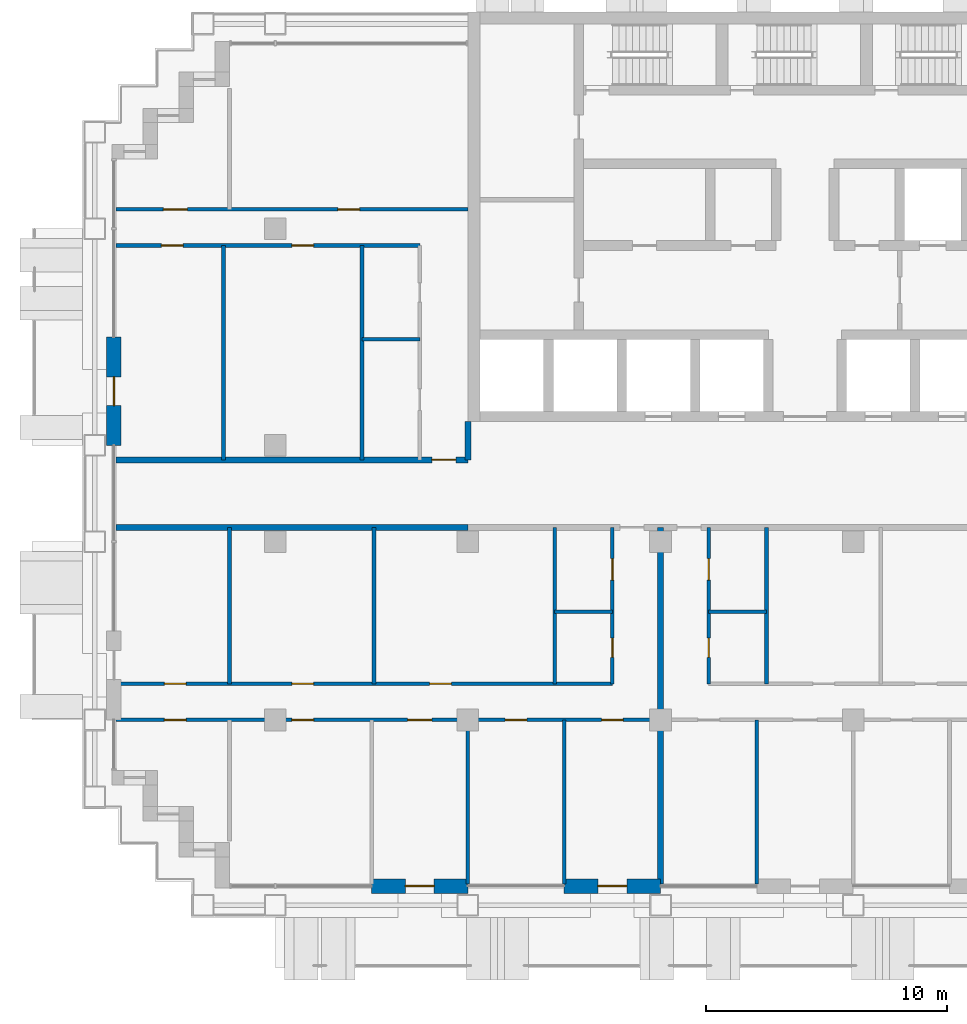
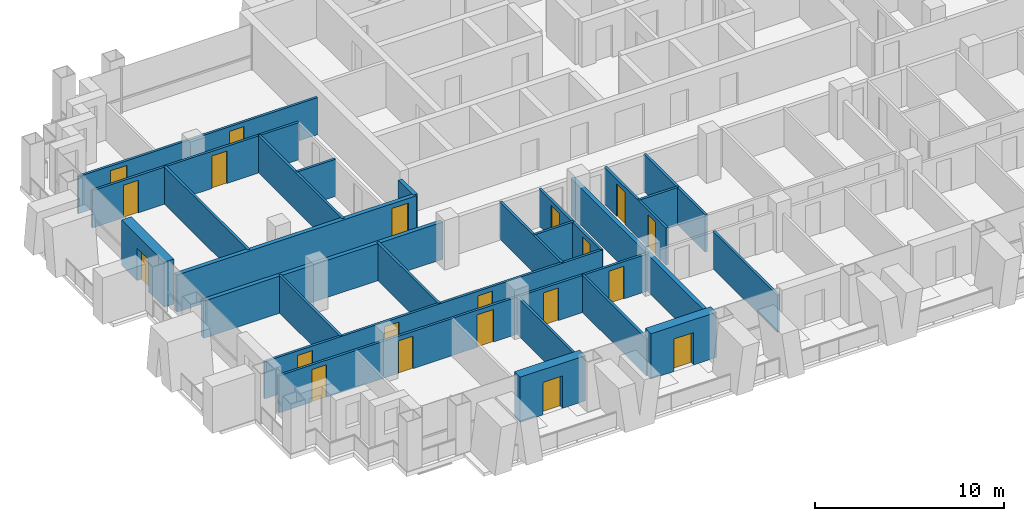
# One storey, part 9 of 18: 25 walls, 20 doors, 20 openings.
"""IFC4 building model written with IfcOpenShell, lengths in metres."""

from ifc_helpers import new_model, si_unit, direction, frame, frame_2d, origin, place, context, subcontext, project, spatial, rectangle, extrude, material, layer, layer_set, type_object, element, fill, save


model = new_model("IFC4")

# Units and contexts
model_context = context("Model", 3, precision=1e-05, world=origin(), true_north=direction((0.0, 1.0)))
body_context = subcontext(model_context, "Body", "Model", "MODEL_VIEW")
ifc_project = project(units=[si_unit("LENGTHUNIT", "METRE"), si_unit("AREAUNIT", "SQUARE_METRE"), si_unit("VOLUMEUNIT", "CUBIC_METRE"), si_unit("PLANEANGLEUNIT", "RADIAN"), si_unit("MASSUNIT", "GRAM", prefix="KILO")], contexts=[model_context])

# Site, building, storey
site_placement = place(None, origin())
site = spatial("IfcSite", under=ifc_project, at=site_placement, CompositionType="ELEMENT")
building_placement = place(site_placement, origin())
building = spatial("IfcBuilding", under=site, at=building_placement, Name="Vidyagriha Tower", CompositionType="ELEMENT")
storey_placement = place(building_placement, frame((0.0, 0.0, 80.699951171875)))
storey = spatial("IfcBuildingStorey", under=building, at=storey_placement, Name="L20", CompositionType="ELEMENT", Elevation=80.699951171875)

# Wall, opening, door
ifc_material_1 = material(Name="Precast concrete C40/50 with brick facing", Category="concrete")
ifc_layer_1 = layer(ifc_material_1, 0.60009765625)
ifc_layer_set_1 = layer_set([ifc_layer_1], Name="Precast concrete C40/50 with brick facing")
wall_type_1 = type_object("IfcWallType", Name="Brick-faced precast wall 600", PredefinedType="STANDARD", material=ifc_layer_set_1)
wall_1_placement = place(storey_placement, frame((-28.699951171875, 6.5, 0.0), z_axis=(0.0, 0.0, 1.0), x_axis=(0.0, -1.0, 0.0)))
wall_1 = element("IfcWall", 1, at=wall_1_placement, inside=storey, type_object=wall_type_1, Name="Brick door bay wall L20 R16.3", PredefinedType="STANDARD", context=body_context, shape_type="SweptSolid", body=[
    extrude(rectangle(XDim=4.5, YDim=0.60009765625, at=frame_2d((2.25, 0.0))), origin(), (0.0, 0.0, 1.0), 2.920166015625),
])
opening_1_placement = place(wall_1_placement, frame((1.64990234375, 0.0, 0.0)))
opening_1 = element("IfcOpeningElement", 2, at=opening_1_placement, cuts=wall_1, Name="Opening D20-74", PredefinedType="OPENING", context=body_context, shape_type="SweptSolid", body=[
    extrude(rectangle(XDim=1.199951171875, YDim=2.10009765625, at=frame_2d((0.60009765625, 1.050048828125))), frame((0.0, 0.31005859375, 0.0), z_axis=(0.0, -1.0, 0.0), x_axis=(1.0, 0.0, 0.0)), (0.0, 0.0, 1.0), 0.6201171875),
])
ifc_material_2 = material(Name="Aluminium framed glazed sliding door", Category="aluminium")
door_type_1 = type_object("IfcDoorType", Name="Balcony sliding door 1200x2100", OperationType="NOTDEFINED", PredefinedType="DOOR", material=ifc_material_2)
door_1_placement = place(opening_1_placement, origin())
door_1 = element("IfcDoor", 3, at=door_1_placement, inside=storey, type_object=door_type_1, Name="Door D20-74", OperationType="SLIDING_TO_LEFT", OverallHeight=2.10009765625, OverallWidth=1.199951171875, PredefinedType="DOOR", context=body_context, shape_type="SweptSolid", body=[
    extrude(rectangle(XDim=1.199951171875, YDim=2.10009765625, at=frame_2d((0.60009765625, 1.050048828125))), frame((0.0, 0.02490234375, 0.0), z_axis=(0.0, -1.0, 0.0), x_axis=(1.0, 0.0, 0.0)), (0.0, 0.0, 1.0), 0.050048828125),
])
fill(opening_1, door_1)

wall_2_placement = place(storey_placement, frame((-18.0, -16.300048828125, 0.0)))
wall_2 = element("IfcWall", 4, at=wall_2_placement, inside=storey, type_object=wall_type_1, Name="Brick door bay wall L20 R23.3", PredefinedType="STANDARD", context=body_context, shape_type="SweptSolid", body=[
    extrude(rectangle(XDim=4.0, YDim=0.60009765625, at=frame_2d((2.0, 0.0))), origin(), (0.0, 0.0, 1.0), 2.920166015625),
])
opening_2_placement = place(wall_2_placement, frame((1.39990234375, 0.0, 0.0)))
opening_2 = element("IfcOpeningElement", 5, at=opening_2_placement, cuts=wall_2, Name="Opening D20-76", PredefinedType="OPENING", context=body_context, shape_type="SweptSolid", body=[
    extrude(rectangle(XDim=1.199951171875, YDim=2.10009765625, at=frame_2d((0.60009765625, 1.050048828125))), frame((0.0, 0.31005859375, 0.0), z_axis=(0.0, -1.0, 0.0), x_axis=(1.0, 0.0, 0.0)), (0.0, 0.0, 1.0), 0.6201171875),
])
door_2_placement = place(opening_2_placement, origin())
door_2 = element("IfcDoor", 6, at=door_2_placement, inside=storey, type_object=door_type_1, Name="Door D20-76", OperationType="SLIDING_TO_LEFT", OverallHeight=2.10009765625, OverallWidth=1.199951171875, PredefinedType="DOOR", context=body_context, shape_type="SweptSolid", body=[
    extrude(rectangle(XDim=1.199951171875, YDim=2.10009765625, at=frame_2d((0.60009765625, 1.050048828125))), frame((0.0, 0.02490234375, 0.0), z_axis=(0.0, -1.0, 0.0), x_axis=(1.0, 0.0, 0.0)), (0.0, 0.0, 1.0), 0.050048828125),
])
fill(opening_2, door_2)

wall_3_placement = place(storey_placement, frame((-10.0, -16.300048828125, 0.0)))
wall_3 = element("IfcWall", 7, at=wall_3_placement, inside=storey, type_object=wall_type_1, Name="Brick door bay wall L20 R23.5", PredefinedType="STANDARD", context=body_context, shape_type="SweptSolid", body=[
    extrude(rectangle(XDim=4.0, YDim=0.60009765625, at=frame_2d((2.0, 0.0))), origin(), (0.0, 0.0, 1.0), 2.920166015625),
])
opening_3_placement = place(wall_3_placement, frame((1.39990234375, 0.0, 0.0)))
opening_3 = element("IfcOpeningElement", 8, at=opening_3_placement, cuts=wall_3, Name="Opening D20-77", PredefinedType="OPENING", context=body_context, shape_type="SweptSolid", body=[
    extrude(rectangle(XDim=1.199951171875, YDim=2.10009765625, at=frame_2d((0.60009765625, 1.050048828125))), frame((0.0, 0.31005859375, 0.0), z_axis=(0.0, -1.0, 0.0), x_axis=(1.0, 0.0, 0.0)), (0.0, 0.0, 1.0), 0.6201171875),
])
door_3_placement = place(opening_3_placement, origin())
door_3 = element("IfcDoor", 9, at=door_3_placement, inside=storey, type_object=door_type_1, Name="Door D20-77", OperationType="SLIDING_TO_LEFT", OverallHeight=2.10009765625, OverallWidth=1.199951171875, PredefinedType="DOOR", context=body_context, shape_type="SweptSolid", body=[
    extrude(rectangle(XDim=1.199951171875, YDim=2.10009765625, at=frame_2d((0.60009765625, 1.050048828125))), frame((0.0, 0.02490234375, 0.0), z_axis=(0.0, -1.0, 0.0), x_axis=(1.0, 0.0, 0.0)), (0.0, 0.0, 1.0), 0.050048828125),
])
fill(opening_3, door_3)

# Wall
ifc_material_3 = material(Name="Fired clay brick masonry", Category="masonry")
ifc_layer_2 = layer(ifc_material_3, 0.25)
ifc_layer_set_2 = layer_set([ifc_layer_2], Name="Fired clay brick masonry")
wall_type_2 = type_object("IfcWallType", Name="Fired clay brick corridor wall 250", PredefinedType="PARTITIONING", material=ifc_layer_set_2)
wall_4_placement = place(storey_placement, frame((-14.0, -1.39990234375, 0.0), z_axis=(0.0, 0.0, 1.0), x_axis=(-1.0, 0.0, 0.0)))
element("IfcWall", 10, at=wall_4_placement, inside=storey, type_object=wall_type_2, Name="Wall all-L20-w080", PredefinedType="PARTITIONING", context=body_context, shape_type="SweptSolid", body=[
    extrude(rectangle(XDim=14.6201171875, YDim=0.25, at=frame_2d((7.31005859375, 0.0))), origin(), (0.0, 0.0, 1.0), 2.400146484375),
])

# Wall, opening, door
wall_5_placement = place(storey_placement, frame((-28.6201171875, 1.39990234375, 0.0)))
wall_5 = element("IfcWall", 11, at=wall_5_placement, inside=storey, type_object=wall_type_2, Name="Wall all-L20-w097", PredefinedType="PARTITIONING", context=body_context, shape_type="SweptSolid", body=[
    extrude(rectangle(XDim=14.6201171875, YDim=0.25, at=frame_2d((7.31005859375, 0.0))), origin(), (0.0, 0.0, 1.0), 2.400146484375),
])
opening_4_placement = place(wall_5_placement, frame((13.1201171875, 0.0, 0.0)))
opening_4 = element("IfcOpeningElement", 12, at=opening_4_placement, cuts=wall_5, Name="Opening D20-58", PredefinedType="OPENING", context=body_context, shape_type="SweptSolid", body=[
    extrude(rectangle(XDim=1.0, YDim=2.10009765625, at=frame_2d((0.5, 1.050048828125))), frame((0.0, 0.135009765625, 0.0), z_axis=(0.0, -1.0, 0.0), x_axis=(1.0, 0.0, 0.0)), (0.0, 0.0, 1.0), 0.27001953125),
])
ifc_material_4 = material(Name="Fire-rated timber door leaf EI 60", Category="wood")
door_type_2 = type_object("IfcDoorType", Name="Flat entrance fire door 1000x2100", OperationType="NOTDEFINED", PredefinedType="DOOR", material=ifc_material_4)
door_4_placement = place(opening_4_placement, origin())
door_4 = element("IfcDoor", 13, at=door_4_placement, inside=storey, type_object=door_type_2, Name="Door D20-58", OperationType="SINGLE_SWING_RIGHT", OverallHeight=2.10009765625, OverallWidth=1.0, PredefinedType="DOOR", context=body_context, shape_type="SweptSolid", body=[
    extrude(rectangle(XDim=1.0, YDim=2.10009765625, at=frame_2d((0.5, 1.050048828125))), frame((0.0, 0.02490234375, 0.0), z_axis=(0.0, -1.0, 0.0), x_axis=(1.0, 0.0, 0.0)), (0.0, 0.0, 1.0), 0.050048828125),
])
fill(opening_4, door_4)

# Walls
wall_6_placement = place(storey_placement, frame((-14.0, 3.0, 0.0), z_axis=(0.0, 0.0, 1.0), x_axis=(0.0, -1.0, 0.0)))
element("IfcWall", 14, at=wall_6_placement, inside=storey, type_object=wall_type_2, Name="Wall all-L20-w132", PredefinedType="PARTITIONING", context=body_context, shape_type="SweptSolid", body=[
    extrude(rectangle(XDim=1.60009765625, YDim=0.25, at=frame_2d((0.800048828125, 0.0))), origin(), (0.0, 0.0, 1.0), 2.400146484375),
])
ifc_material_5 = material(Name="Fired clay brick masonry", Category="masonry")
ifc_layer_3 = layer(ifc_material_5, 0.25)
ifc_layer_set_3 = layer_set([ifc_layer_3], Name="Fired clay brick masonry")
wall_type_3 = type_object("IfcWallType", Name="Fired clay brick demising wall 250", PredefinedType="PARTITIONING", material=ifc_layer_set_3)
wall_7_placement = place(storey_placement, frame((-6.0, -1.39990234375, 0.0), z_axis=(0.0, 0.0, 1.0), x_axis=(0.0, -1.0, 0.0)))
element("IfcWall", 15, at=wall_7_placement, inside=storey, type_object=wall_type_3, Name="Wall all-L20-w043", PredefinedType="PARTITIONING", context=body_context, shape_type="SweptSolid", body=[
    extrude(rectangle(XDim=14.81005859375, YDim=0.25, at=frame_2d((7.405029296875, 0.0))), origin(), (0.0, 0.0, 1.0), 2.400146484375),
])
ifc_material_6 = material(Name="Gypsum board partition")
ifc_layer_4 = layer(ifc_material_6, 0.14990234375)
ifc_layer_set_4 = layer_set([ifc_layer_4], Name="Gypsum board partition")
wall_type_4 = type_object("IfcWallType", Name="Gypsum board partition 150", PredefinedType="PARTITIONING", material=ifc_layer_set_4)
wall_8_placement = place(storey_placement, frame((-8.0, -4.89990234375, 0.0), z_axis=(0.0, 0.0, 1.0), x_axis=(-1.0, 0.0, 0.0)))
element("IfcWall", 16, at=wall_8_placement, inside=storey, type_object=wall_type_4, Name="Wall all-L20-w004", PredefinedType="PARTITIONING", context=body_context, shape_type="SweptSolid", body=[
    extrude(rectangle(XDim=2.39990234375, YDim=0.14990234375, at=frame_2d((1.199951171875, 0.0))), origin(), (0.0, 0.0, 1.0), 2.400146484375),
])
for number, where, z_axis, x_axis, name in (
    (17, (-10.39990234375, -7.89990234375, 0.0), (0.0, 0.0, 1.0), (0.0, 1.0, 0.0), "Wall all-L20-w005"),
    (18, (-17.89990234375, -7.89990234375, 0.0), (0.0, 0.0, 1.0), (0.0, 1.0, 0.0), "Wall all-L20-w006"),
    (19, (-23.89990234375, -7.89990234375, 0.0), (0.0, 0.0, 1.0), (0.0, 1.0, 0.0), "Wall all-L20-w007"),
):
    element("IfcWall", number, at=place(storey_placement, frame(where, z_axis=z_axis, x_axis=x_axis)), inside=storey, type_object=wall_type_4, Name=name, PredefinedType="PARTITIONING", context=body_context, shape_type="SweptSolid", body=[
        extrude(rectangle(XDim=6.5, YDim=0.14990234375, at=frame_2d((3.25, 0.0))), origin(), (0.0, 0.0, 1.0), 2.400146484375),
    ])

# Wall, openings, doors
wall_9_placement = place(storey_placement, frame((-28.610107421875, -7.89990234375, 0.0)))
wall_9 = element("IfcWall", 20, at=wall_9_placement, inside=storey, type_object=wall_type_4, Name="Wall all-L20-w008", PredefinedType="PARTITIONING", context=body_context, shape_type="SweptSolid", body=[
    extrude(rectangle(XDim=20.610107421875, YDim=0.14990234375, at=frame_2d((10.30517578125, 0.0))), origin(), (0.0, 0.0, 1.0), 2.400146484375),
])
opening_5_placement = place(wall_9_placement, frame((13.02099609375, 0.0, 0.0)))
opening_5 = element("IfcOpeningElement", 21, at=opening_5_placement, cuts=wall_9, Name="Opening D20-16", PredefinedType="OPENING", context=body_context, shape_type="SweptSolid", body=[
    extrude(rectangle(XDim=0.89990234375, YDim=2.10009765625, at=frame_2d((0.449951171875, 1.050048828125))), frame((0.0, 0.0849609375, 0.0), z_axis=(0.0, -1.0, 0.0), x_axis=(1.0, 0.0, 0.0)), (0.0, 0.0, 1.0), 0.169921875),
])
opening_6_placement = place(wall_9_placement, frame((7.299072265625, 0.0, 0.0)))
opening_6 = element("IfcOpeningElement", 22, at=opening_6_placement, cuts=wall_9, Name="Opening D20-17", PredefinedType="OPENING", context=body_context, shape_type="SweptSolid", body=[
    extrude(rectangle(XDim=0.89990234375, YDim=2.10009765625, at=frame_2d((0.449951171875, 1.050048828125))), frame((0.0, 0.0849609375, 0.0), z_axis=(0.0, -1.0, 0.0), x_axis=(1.0, 0.0, 0.0)), (0.0, 0.0, 1.0), 0.169921875),
])
opening_7_placement = place(wall_9_placement, frame((2.010009765625, 0.0, 0.0)))
opening_7 = element("IfcOpeningElement", 23, at=opening_7_placement, cuts=wall_9, Name="Opening D20-18", PredefinedType="OPENING", context=body_context, shape_type="SweptSolid", body=[
    extrude(rectangle(XDim=0.89990234375, YDim=2.10009765625, at=frame_2d((0.449951171875, 1.050048828125))), frame((0.0, 0.0849609375, 0.0), z_axis=(0.0, -1.0, 0.0), x_axis=(1.0, 0.0, 0.0)), (0.0, 0.0, 1.0), 0.169921875),
])
ifc_material_7 = material(Name="Timber door leaf", Category="wood")
door_type_3 = type_object("IfcDoorType", Name="Room door 900x2100", OperationType="NOTDEFINED", PredefinedType="DOOR", material=ifc_material_7)
door_5_placement = place(opening_5_placement, origin())
door_5 = element("IfcDoor", 24, at=door_5_placement, inside=storey, type_object=door_type_3, Name="Door D20-16", OperationType="SINGLE_SWING_LEFT", OverallHeight=2.10009765625, OverallWidth=0.89990234375, PredefinedType="DOOR", context=body_context, shape_type="SweptSolid", body=[
    extrude(rectangle(XDim=0.89990234375, YDim=2.10009765625, at=frame_2d((0.449951171875, 1.050048828125))), frame((0.0, 0.02490234375, 0.0), z_axis=(0.0, -1.0, 0.0), x_axis=(1.0, 0.0, 0.0)), (0.0, 0.0, 1.0), 0.050048828125),
])
fill(opening_5, door_5)
door_6_placement = place(opening_6_placement, origin())
door_6 = element("IfcDoor", 25, at=door_6_placement, inside=storey, type_object=door_type_3, Name="Door D20-17", OperationType="SINGLE_SWING_RIGHT", OverallHeight=2.10009765625, OverallWidth=0.89990234375, PredefinedType="DOOR", context=body_context, shape_type="SweptSolid", body=[
    extrude(rectangle(XDim=0.89990234375, YDim=2.10009765625, at=frame_2d((0.449951171875, 1.050048828125))), frame((0.0, 0.02490234375, 0.0), z_axis=(0.0, -1.0, 0.0), x_axis=(1.0, 0.0, 0.0)), (0.0, 0.0, 1.0), 0.050048828125),
])
fill(opening_6, door_6)
door_7_placement = place(opening_7_placement, origin())
door_7 = element("IfcDoor", 26, at=door_7_placement, inside=storey, type_object=door_type_3, Name="Door D20-18", OperationType="SINGLE_SWING_RIGHT", OverallHeight=2.10009765625, OverallWidth=0.89990234375, PredefinedType="DOOR", context=body_context, shape_type="SweptSolid", body=[
    extrude(rectangle(XDim=0.89990234375, YDim=2.10009765625, at=frame_2d((0.449951171875, 1.050048828125))), frame((0.0, 0.02490234375, 0.0), z_axis=(0.0, -1.0, 0.0), x_axis=(1.0, 0.0, 0.0)), (0.0, 0.0, 1.0), 0.050048828125),
])
fill(opening_7, door_7)

wall_10_placement = place(storey_placement, frame((-6.0, -9.39990234375, 0.0), z_axis=(0.0, 0.0, 1.0), x_axis=(-1.0, 0.0, 0.0)))
wall_10 = element("IfcWall", 27, at=wall_10_placement, inside=storey, type_object=wall_type_4, Name="Wall all-L20-w012", PredefinedType="PARTITIONING", context=body_context, shape_type="SweptSolid", body=[
    extrude(rectangle(XDim=22.610107421875, YDim=0.14990234375, at=frame_2d((11.30517578125, 0.0))), origin(), (0.0, 0.0, 1.0), 2.400146484375),
])
opening_8_placement = place(wall_10_placement, frame((19.699951171875, 0.0, 0.0)))
opening_8 = element("IfcOpeningElement", 28, at=opening_8_placement, cuts=wall_10, Name="Opening D20-19", PredefinedType="OPENING", context=body_context, shape_type="SweptSolid", body=[
    extrude(rectangle(XDim=0.89990234375, YDim=2.10009765625, at=frame_2d((0.449951171875, 1.050048828125))), frame((0.0, 0.0849609375, 0.0), z_axis=(0.0, -1.0, 0.0), x_axis=(1.0, 0.0, 0.0)), (0.0, 0.0, 1.0), 0.169921875),
])
opening_9_placement = place(wall_10_placement, frame((14.410888671875, 0.0, 0.0)))
opening_9 = element("IfcOpeningElement", 29, at=opening_9_placement, cuts=wall_10, Name="Opening D20-20", PredefinedType="OPENING", context=body_context, shape_type="SweptSolid", body=[
    extrude(rectangle(XDim=0.89990234375, YDim=2.10009765625, at=frame_2d((0.449951171875, 1.050048828125))), frame((0.0, 0.0849609375, 0.0), z_axis=(0.0, -1.0, 0.0), x_axis=(1.0, 0.0, 0.0)), (0.0, 0.0, 1.0), 0.169921875),
])
opening_10_placement = place(wall_10_placement, frame((9.5, 0.0, 0.0)))
opening_10 = element("IfcOpeningElement", 30, at=opening_10_placement, cuts=wall_10, Name="Opening D20-21", PredefinedType="OPENING", context=body_context, shape_type="SweptSolid", body=[
    extrude(rectangle(XDim=1.0, YDim=2.10009765625, at=frame_2d((0.5, 1.050048828125))), frame((0.0, 0.0849609375, 0.0), z_axis=(0.0, -1.0, 0.0), x_axis=(1.0, 0.0, 0.0)), (0.0, 0.0, 1.0), 0.169921875),
])
opening_11_placement = place(wall_10_placement, frame((5.550048828125, 0.0, 0.0)))
opening_11 = element("IfcOpeningElement", 31, at=opening_11_placement, cuts=wall_10, Name="Opening D20-22", PredefinedType="OPENING", context=body_context, shape_type="SweptSolid", body=[
    extrude(rectangle(XDim=0.89990234375, YDim=2.10009765625, at=frame_2d((0.449951171875, 1.050048828125))), frame((0.0, 0.0849609375, 0.0), z_axis=(0.0, -1.0, 0.0), x_axis=(1.0, 0.0, 0.0)), (0.0, 0.0, 1.0), 0.169921875),
])
opening_12_placement = place(wall_10_placement, frame((1.550048828125, 0.0, 0.0)))
opening_12 = element("IfcOpeningElement", 32, at=opening_12_placement, cuts=wall_10, Name="Opening D20-23", PredefinedType="OPENING", context=body_context, shape_type="SweptSolid", body=[
    extrude(rectangle(XDim=0.89990234375, YDim=2.10009765625, at=frame_2d((0.449951171875, 1.050048828125))), frame((0.0, 0.0849609375, 0.0), z_axis=(0.0, -1.0, 0.0), x_axis=(1.0, 0.0, 0.0)), (0.0, 0.0, 1.0), 0.169921875),
])
ifc_material_8 = material(Name="Timber door leaf", Category="wood")
door_type_4 = type_object("IfcDoorType", Name="Room door 1000x2100", OperationType="NOTDEFINED", PredefinedType="DOOR", material=ifc_material_8)
door_8_placement = place(opening_10_placement, origin())
door_8 = element("IfcDoor", 33, at=door_8_placement, inside=storey, type_object=door_type_4, Name="Door D20-21", OperationType="SINGLE_SWING_RIGHT", OverallHeight=2.10009765625, OverallWidth=1.0, PredefinedType="DOOR", context=body_context, shape_type="SweptSolid", body=[
    extrude(rectangle(XDim=1.0, YDim=2.10009765625, at=frame_2d((0.5, 1.050048828125))), frame((0.0, 0.02490234375, 0.0), z_axis=(0.0, -1.0, 0.0), x_axis=(1.0, 0.0, 0.0)), (0.0, 0.0, 1.0), 0.050048828125),
])
fill(opening_10, door_8)
door_9_placement = place(opening_8_placement, origin())
door_9 = element("IfcDoor", 34, at=door_9_placement, inside=storey, type_object=door_type_3, Name="Door D20-19", OperationType="SINGLE_SWING_RIGHT", OverallHeight=2.10009765625, OverallWidth=0.89990234375, PredefinedType="DOOR", context=body_context, shape_type="SweptSolid", body=[
    extrude(rectangle(XDim=0.89990234375, YDim=2.10009765625, at=frame_2d((0.449951171875, 1.050048828125))), frame((0.0, 0.02490234375, 0.0), z_axis=(0.0, -1.0, 0.0), x_axis=(1.0, 0.0, 0.0)), (0.0, 0.0, 1.0), 0.050048828125),
])
fill(opening_8, door_9)
door_10_placement = place(opening_9_placement, origin())
door_10 = element("IfcDoor", 35, at=door_10_placement, inside=storey, type_object=door_type_3, Name="Door D20-20", OperationType="SINGLE_SWING_LEFT", OverallHeight=2.10009765625, OverallWidth=0.89990234375, PredefinedType="DOOR", context=body_context, shape_type="SweptSolid", body=[
    extrude(rectangle(XDim=0.89990234375, YDim=2.10009765625, at=frame_2d((0.449951171875, 1.050048828125))), frame((0.0, 0.02490234375, 0.0), z_axis=(0.0, -1.0, 0.0), x_axis=(1.0, 0.0, 0.0)), (0.0, 0.0, 1.0), 0.050048828125),
])
fill(opening_9, door_10)
door_11_placement = place(opening_11_placement, origin())
door_11 = element("IfcDoor", 36, at=door_11_placement, inside=storey, type_object=door_type_3, Name="Door D20-22", OperationType="SINGLE_SWING_RIGHT", OverallHeight=2.10009765625, OverallWidth=0.89990234375, PredefinedType="DOOR", context=body_context, shape_type="SweptSolid", body=[
    extrude(rectangle(XDim=0.89990234375, YDim=2.10009765625, at=frame_2d((0.449951171875, 1.050048828125))), frame((0.0, 0.02490234375, 0.0), z_axis=(0.0, -1.0, 0.0), x_axis=(1.0, 0.0, 0.0)), (0.0, 0.0, 1.0), 0.050048828125),
])
fill(opening_11, door_11)
door_12_placement = place(opening_12_placement, origin())
door_12 = element("IfcDoor", 37, at=door_12_placement, inside=storey, type_object=door_type_3, Name="Door D20-23", OperationType="SINGLE_SWING_RIGHT", OverallHeight=2.10009765625, OverallWidth=0.89990234375, PredefinedType="DOOR", context=body_context, shape_type="SweptSolid", body=[
    extrude(rectangle(XDim=0.89990234375, YDim=2.10009765625, at=frame_2d((0.449951171875, 1.050048828125))), frame((0.0, 0.02490234375, 0.0), z_axis=(0.0, -1.0, 0.0), x_axis=(1.0, 0.0, 0.0)), (0.0, 0.0, 1.0), 0.050048828125),
])
fill(opening_12, door_12)

# Walls
wall_11_placement = place(storey_placement, frame((-14.0, -9.39990234375, 0.0), z_axis=(0.0, 0.0, 1.0), x_axis=(0.0, -1.0, 0.0)))
element("IfcWall", 38, at=wall_11_placement, inside=storey, type_object=wall_type_4, Name="Wall all-L20-w020", PredefinedType="PARTITIONING", context=body_context, shape_type="SweptSolid", body=[
    extrude(rectangle(XDim=6.81005859375, YDim=0.14990234375, at=frame_2d((3.405029296875, 0.0))), origin(), (0.0, 0.0, 1.0), 2.400146484375),
])
wall_12_placement = place(storey_placement, frame((-10.0, -9.39990234375, 0.0), z_axis=(0.0, 0.0, 1.0), x_axis=(0.0, -1.0, 0.0)))
element("IfcWall", 39, at=wall_12_placement, inside=storey, type_object=wall_type_4, Name="Wall all-L20-w021", PredefinedType="PARTITIONING", context=body_context, shape_type="SweptSolid", body=[
    extrude(rectangle(XDim=6.821044921875, YDim=0.14990234375, at=frame_2d((3.41064453125, 0.0))), origin(), (0.0, 0.0, 1.0), 2.400146484375),
])
wall_13_placement = place(storey_placement, frame((-1.60009765625, -4.89990234375, 0.0), z_axis=(0.0, 0.0, 1.0), x_axis=(-1.0, 0.0, 0.0)))
element("IfcWall", 40, at=wall_13_placement, inside=storey, type_object=wall_type_4, Name="Wall all-L20-w026", PredefinedType="PARTITIONING", context=body_context, shape_type="SweptSolid", body=[
    extrude(rectangle(XDim=2.39990234375, YDim=0.14990234375, at=frame_2d((1.199951171875, 0.0))), origin(), (0.0, 0.0, 1.0), 2.400146484375),
])
wall_14_placement = place(storey_placement, frame((-1.60009765625, -1.39990234375, 0.0), z_axis=(0.0, 0.0, 1.0), x_axis=(0.0, -1.0, 0.0)))
element("IfcWall", 41, at=wall_14_placement, inside=storey, type_object=wall_type_4, Name="Wall all-L20-w027", PredefinedType="PARTITIONING", context=body_context, shape_type="SweptSolid", body=[
    extrude(rectangle(XDim=6.5, YDim=0.14990234375, at=frame_2d((3.25, 0.0))), origin(), (0.0, 0.0, 1.0), 2.400146484375),
])
wall_15_placement = place(storey_placement, frame((-2.0, -9.39990234375, 0.0), z_axis=(0.0, 0.0, 1.0), x_axis=(0.0, -1.0, 0.0)))
element("IfcWall", 42, at=wall_15_placement, inside=storey, type_object=wall_type_4, Name="Wall all-L20-w039", PredefinedType="PARTITIONING", context=body_context, shape_type="SweptSolid", body=[
    extrude(rectangle(XDim=6.821044921875, YDim=0.14990234375, at=frame_2d((3.41064453125, 0.0))), origin(), (0.0, 0.0, 1.0), 2.400146484375),
])
wall_16_placement = place(storey_placement, frame((-18.39990234375, 6.39990234375, 0.0)))
element("IfcWall", 43, at=wall_16_placement, inside=storey, type_object=wall_type_4, Name="Wall all-L20-w086", PredefinedType="PARTITIONING", context=body_context, shape_type="SweptSolid", body=[
    extrude(rectangle(XDim=2.39990234375, YDim=0.14990234375, at=frame_2d((1.199951171875, 0.0))), origin(), (0.0, 0.0, 1.0), 2.400146484375),
])
for number, where, z_axis, x_axis, name in (
    (44, (-18.39990234375, 1.39990234375, 0.0), (0.0, 0.0, 1.0), (0.0, 1.0, 0.0), "Wall all-L20-w087"),
    (45, (-24.14990234375, 1.39990234375, 0.0), (0.0, 0.0, 1.0), (0.0, 1.0, 0.0), "Wall all-L20-w088"),
):
    element("IfcWall", number, at=place(storey_placement, frame(where, z_axis=z_axis, x_axis=x_axis)), inside=storey, type_object=wall_type_4, Name=name, PredefinedType="PARTITIONING", context=body_context, shape_type="SweptSolid", body=[
        extrude(rectangle(XDim=8.900146484375, YDim=0.14990234375, at=frame_2d((4.4501953125, 0.0))), origin(), (0.0, 0.0, 1.0), 2.400146484375),
    ])

# Wall, openings, doors
wall_17_placement = place(storey_placement, frame((-16.0, 10.300048828125, 0.0), z_axis=(0.0, 0.0, 1.0), x_axis=(-1.0, 0.0, 0.0)))
wall_17 = element("IfcWall", 46, at=wall_17_placement, inside=storey, type_object=wall_type_4, Name="Wall all-L20-w089", PredefinedType="PARTITIONING", context=body_context, shape_type="SweptSolid", body=[
    extrude(rectangle(XDim=12.6201171875, YDim=0.14990234375, at=frame_2d((6.31005859375, 0.0))), origin(), (0.0, 0.0, 1.0), 2.400146484375),
])
opening_13_placement = place(wall_17_placement, frame((4.410888671875, 0.0, 0.0)))
opening_13 = element("IfcOpeningElement", 47, at=opening_13_placement, cuts=wall_17, Name="Opening D20-54", PredefinedType="OPENING", context=body_context, shape_type="SweptSolid", body=[
    extrude(rectangle(XDim=0.89990234375, YDim=2.10009765625, at=frame_2d((0.449951171875, 1.050048828125))), frame((0.0, 0.0849609375, 0.0), z_axis=(0.0, -1.0, 0.0), x_axis=(1.0, 0.0, 0.0)), (0.0, 0.0, 1.0), 0.169921875),
])
opening_14_placement = place(wall_17_placement, frame((9.824951171875, 0.0, 0.0)))
opening_14 = element("IfcOpeningElement", 48, at=opening_14_placement, cuts=wall_17, Name="Opening D20-55", PredefinedType="OPENING", context=body_context, shape_type="SweptSolid", body=[
    extrude(rectangle(XDim=0.89990234375, YDim=2.10009765625, at=frame_2d((0.449951171875, 1.050048828125))), frame((0.0, 0.0849609375, 0.0), z_axis=(0.0, -1.0, 0.0), x_axis=(1.0, 0.0, 0.0)), (0.0, 0.0, 1.0), 0.169921875),
])
door_13_placement = place(opening_13_placement, origin())
door_13 = element("IfcDoor", 49, at=door_13_placement, inside=storey, type_object=door_type_3, Name="Door D20-54", OperationType="SINGLE_SWING_LEFT", OverallHeight=2.10009765625, OverallWidth=0.89990234375, PredefinedType="DOOR", context=body_context, shape_type="SweptSolid", body=[
    extrude(rectangle(XDim=0.89990234375, YDim=2.10009765625, at=frame_2d((0.449951171875, 1.050048828125))), frame((0.0, 0.02490234375, 0.0), z_axis=(0.0, -1.0, 0.0), x_axis=(1.0, 0.0, 0.0)), (0.0, 0.0, 1.0), 0.050048828125),
])
fill(opening_13, door_13)
door_14_placement = place(opening_14_placement, origin())
door_14 = element("IfcDoor", 50, at=door_14_placement, inside=storey, type_object=door_type_3, Name="Door D20-55", OperationType="SINGLE_SWING_RIGHT", OverallHeight=2.10009765625, OverallWidth=0.89990234375, PredefinedType="DOOR", context=body_context, shape_type="SweptSolid", body=[
    extrude(rectangle(XDim=0.89990234375, YDim=2.10009765625, at=frame_2d((0.449951171875, 1.050048828125))), frame((0.0, 0.02490234375, 0.0), z_axis=(0.0, -1.0, 0.0), x_axis=(1.0, 0.0, 0.0)), (0.0, 0.0, 1.0), 0.050048828125),
])
fill(opening_14, door_14)

wall_18_placement = place(storey_placement, frame((-28.6201171875, 11.800048828125, 0.0)))
wall_18 = element("IfcWall", 51, at=wall_18_placement, inside=storey, type_object=wall_type_4, Name="Wall all-L20-w092", PredefinedType="PARTITIONING", context=body_context, shape_type="SweptSolid", body=[
    extrude(rectangle(XDim=14.6201171875, YDim=0.14990234375, at=frame_2d((7.31005859375, 0.0))), origin(), (0.0, 0.0, 1.0), 2.400146484375),
])
opening_15_placement = place(wall_18_placement, frame((1.969970703125, 0.0, 0.0)))
opening_15 = element("IfcOpeningElement", 52, at=opening_15_placement, cuts=wall_18, Name="Opening D20-56", PredefinedType="OPENING", context=body_context, shape_type="SweptSolid", body=[
    extrude(rectangle(XDim=1.0, YDim=2.10009765625, at=frame_2d((0.5, 1.050048828125))), frame((0.0, 0.0849609375, 0.0), z_axis=(0.0, -1.0, 0.0), x_axis=(1.0, 0.0, 0.0)), (0.0, 0.0, 1.0), 0.169921875),
])
opening_16_placement = place(wall_18_placement, frame((9.219970703125, 0.0, 0.0)))
opening_16 = element("IfcOpeningElement", 53, at=opening_16_placement, cuts=wall_18, Name="Opening D20-57", PredefinedType="OPENING", context=body_context, shape_type="SweptSolid", body=[
    extrude(rectangle(XDim=0.89990234375, YDim=2.10009765625, at=frame_2d((0.449951171875, 1.050048828125))), frame((0.0, 0.0849609375, 0.0), z_axis=(0.0, -1.0, 0.0), x_axis=(1.0, 0.0, 0.0)), (0.0, 0.0, 1.0), 0.169921875),
])
door_15_placement = place(opening_15_placement, origin())
door_15 = element("IfcDoor", 54, at=door_15_placement, inside=storey, type_object=door_type_4, Name="Door D20-56", OperationType="SINGLE_SWING_RIGHT", OverallHeight=2.10009765625, OverallWidth=1.0, PredefinedType="DOOR", context=body_context, shape_type="SweptSolid", body=[
    extrude(rectangle(XDim=1.0, YDim=2.10009765625, at=frame_2d((0.5, 1.050048828125))), frame((0.0, 0.02490234375, 0.0), z_axis=(0.0, -1.0, 0.0), x_axis=(1.0, 0.0, 0.0)), (0.0, 0.0, 1.0), 0.050048828125),
])
fill(opening_15, door_15)
door_16_placement = place(opening_16_placement, origin())
door_16 = element("IfcDoor", 55, at=door_16_placement, inside=storey, type_object=door_type_3, Name="Door D20-57", OperationType="SINGLE_SWING_RIGHT", OverallHeight=2.10009765625, OverallWidth=0.89990234375, PredefinedType="DOOR", context=body_context, shape_type="SweptSolid", body=[
    extrude(rectangle(XDim=0.89990234375, YDim=2.10009765625, at=frame_2d((0.449951171875, 1.050048828125))), frame((0.0, 0.02490234375, 0.0), z_axis=(0.0, -1.0, 0.0), x_axis=(1.0, 0.0, 0.0)), (0.0, 0.0, 1.0), 0.050048828125),
])
fill(opening_16, door_16)

ifc_material_9 = material(Name="Moisture resistant gypsum board partition")
ifc_layer_5 = layer(ifc_material_9, 0.14990234375)
ifc_layer_set_5 = layer_set([ifc_layer_5], Name="Moisture resistant gypsum board partition")
wall_type_5 = type_object("IfcWallType", Name="Gypsum board wet-area partition 150", PredefinedType="PARTITIONING", material=ifc_layer_set_5)
wall_19_placement = place(storey_placement, frame((-8.0, -7.89990234375, 0.0), z_axis=(0.0, 0.0, 1.0), x_axis=(0.0, 1.0, 0.0)))
wall_19 = element("IfcWall", 56, at=wall_19_placement, inside=storey, type_object=wall_type_5, Name="Wall all-L20-w001", PredefinedType="PARTITIONING", context=body_context, shape_type="SweptSolid", body=[
    extrude(rectangle(XDim=6.5, YDim=0.14990234375, at=frame_2d((3.25, 0.0))), origin(), (0.0, 0.0, 1.0), 2.400146484375),
])
opening_17_placement = place(wall_19_placement, frame((4.300048828125, 0.0, 0.0)))
opening_17 = element("IfcOpeningElement", 57, at=opening_17_placement, cuts=wall_19, Name="Opening D20-14", PredefinedType="OPENING", context=body_context, shape_type="SweptSolid", body=[
    extrude(rectangle(XDim=0.89990234375, YDim=2.10009765625, at=frame_2d((0.449951171875, 1.050048828125))), frame((0.0, 0.0849609375, 0.0), z_axis=(0.0, -1.0, 0.0), x_axis=(1.0, 0.0, 0.0)), (0.0, 0.0, 1.0), 0.169921875),
])
opening_18_placement = place(wall_19_placement, frame((1.10009765625, 0.0, 0.0)))
opening_18 = element("IfcOpeningElement", 58, at=opening_18_placement, cuts=wall_19, Name="Opening D20-15", PredefinedType="OPENING", context=body_context, shape_type="SweptSolid", body=[
    extrude(rectangle(XDim=0.800048828125, YDim=2.10009765625, at=frame_2d((0.39990234375, 1.050048828125))), frame((0.0, 0.0849609375, 0.0), z_axis=(0.0, -1.0, 0.0), x_axis=(1.0, 0.0, 0.0)), (0.0, 0.0, 1.0), 0.169921875),
])
ifc_material_10 = material(Name="Timber door leaf", Category="wood")
door_type_5 = type_object("IfcDoorType", Name="Bathroom door 800x2100", OperationType="NOTDEFINED", PredefinedType="DOOR", material=ifc_material_10)
door_17_placement = place(opening_18_placement, origin())
door_17 = element("IfcDoor", 59, at=door_17_placement, inside=storey, type_object=door_type_5, Name="Door D20-15", OperationType="SINGLE_SWING_RIGHT", OverallHeight=2.10009765625, OverallWidth=0.800048828125, PredefinedType="DOOR", context=body_context, shape_type="SweptSolid", body=[
    extrude(rectangle(XDim=0.800048828125, YDim=2.10009765625, at=frame_2d((0.39990234375, 1.050048828125))), frame((0.0, 0.02490234375, 0.0), z_axis=(0.0, -1.0, 0.0), x_axis=(1.0, 0.0, 0.0)), (0.0, 0.0, 1.0), 0.050048828125),
])
fill(opening_18, door_17)
ifc_material_11 = material(Name="Timber door leaf", Category="wood")
door_type_6 = type_object("IfcDoorType", Name="Kitchen door 900x2100", OperationType="NOTDEFINED", PredefinedType="DOOR", material=ifc_material_11)
door_18_placement = place(opening_17_placement, origin())
door_18 = element("IfcDoor", 60, at=door_18_placement, inside=storey, type_object=door_type_6, Name="Door D20-14", OperationType="SINGLE_SWING_LEFT", OverallHeight=2.10009765625, OverallWidth=0.89990234375, PredefinedType="DOOR", context=body_context, shape_type="SweptSolid", body=[
    extrude(rectangle(XDim=0.89990234375, YDim=2.10009765625, at=frame_2d((0.449951171875, 1.050048828125))), frame((0.0, 0.02490234375, 0.0), z_axis=(0.0, -1.0, 0.0), x_axis=(1.0, 0.0, 0.0)), (0.0, 0.0, 1.0), 0.050048828125),
])
fill(opening_17, door_18)

wall_20_placement = place(storey_placement, frame((-4.0, -1.39990234375, 0.0), z_axis=(0.0, 0.0, 1.0), x_axis=(0.0, -1.0, 0.0)))
wall_20 = element("IfcWall", 61, at=wall_20_placement, inside=storey, type_object=wall_type_5, Name="Wall all-L20-w023", PredefinedType="PARTITIONING", context=body_context, shape_type="SweptSolid", body=[
    extrude(rectangle(XDim=6.5, YDim=0.14990234375, at=frame_2d((3.25, 0.0))), origin(), (0.0, 0.0, 1.0), 2.400146484375),
])
opening_19_placement = place(wall_20_placement, frame((1.300048828125, 0.0, 0.0)))
opening_19 = element("IfcOpeningElement", 62, at=opening_19_placement, cuts=wall_20, Name="Opening D20-25", PredefinedType="OPENING", context=body_context, shape_type="SweptSolid", body=[
    extrude(rectangle(XDim=0.89990234375, YDim=2.10009765625, at=frame_2d((0.449951171875, 1.050048828125))), frame((0.0, 0.0849609375, 0.0), z_axis=(0.0, -1.0, 0.0), x_axis=(1.0, 0.0, 0.0)), (0.0, 0.0, 1.0), 0.169921875),
])
opening_20_placement = place(wall_20_placement, frame((4.60009765625, 0.0, 0.0)))
opening_20 = element("IfcOpeningElement", 63, at=opening_20_placement, cuts=wall_20, Name="Opening D20-26", PredefinedType="OPENING", context=body_context, shape_type="SweptSolid", body=[
    extrude(rectangle(XDim=0.800048828125, YDim=2.10009765625, at=frame_2d((0.39990234375, 1.050048828125))), frame((0.0, 0.0849609375, 0.0), z_axis=(0.0, -1.0, 0.0), x_axis=(1.0, 0.0, 0.0)), (0.0, 0.0, 1.0), 0.169921875),
])
door_19_placement = place(opening_20_placement, origin())
door_19 = element("IfcDoor", 64, at=door_19_placement, inside=storey, type_object=door_type_5, Name="Door D20-26", OperationType="SINGLE_SWING_RIGHT", OverallHeight=2.10009765625, OverallWidth=0.800048828125, PredefinedType="DOOR", context=body_context, shape_type="SweptSolid", body=[
    extrude(rectangle(XDim=0.800048828125, YDim=2.10009765625, at=frame_2d((0.39990234375, 1.050048828125))), frame((0.0, 0.02490234375, 0.0), z_axis=(0.0, -1.0, 0.0), x_axis=(1.0, 0.0, 0.0)), (0.0, 0.0, 1.0), 0.050048828125),
])
fill(opening_20, door_19)
door_20_placement = place(opening_19_placement, origin())
door_20 = element("IfcDoor", 65, at=door_20_placement, inside=storey, type_object=door_type_6, Name="Door D20-25", OperationType="SINGLE_SWING_LEFT", OverallHeight=2.10009765625, OverallWidth=0.89990234375, PredefinedType="DOOR", context=body_context, shape_type="SweptSolid", body=[
    extrude(rectangle(XDim=0.89990234375, YDim=2.10009765625, at=frame_2d((0.449951171875, 1.050048828125))), frame((0.0, 0.02490234375, 0.0), z_axis=(0.0, -1.0, 0.0), x_axis=(1.0, 0.0, 0.0)), (0.0, 0.0, 1.0), 0.050048828125),
])
fill(opening_19, door_20)

save(model, "model.ifc")
